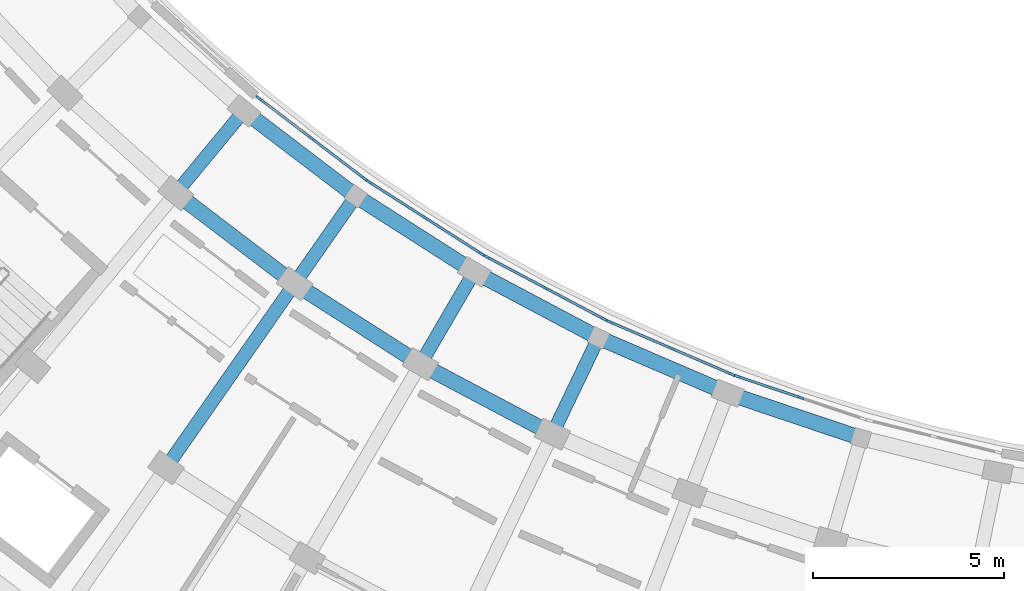
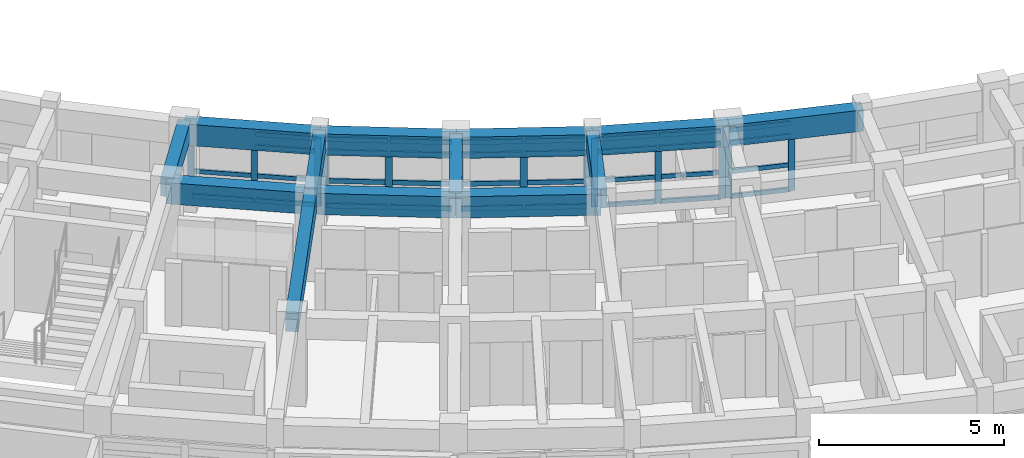
# One storey, part 13 of 54: 48 members, 13 beams, 5 elements without a shape of their own.
"""IFC4 building model written with IfcOpenShell, lengths in metres."""

from ifc_helpers import new_model, si_unit, direction, frame, origin, origin_2d, place, context, subcontext, project, spatial, rectangle, extrude, material, material_profile, profile_set, type_object, element, aggregate, save


model = new_model("IFC4")

# Units and contexts
model_context = context("Model", 3, precision=1e-05, world=origin(), true_north=direction((0.0, 1.0)))
body_context = subcontext(model_context, "Body", "Model", "MODEL_VIEW")
ifc_project = project(units=[si_unit("LENGTHUNIT", "METRE"), si_unit("AREAUNIT", "SQUARE_METRE"), si_unit("VOLUMEUNIT", "CUBIC_METRE"), si_unit("PLANEANGLEUNIT", "RADIAN"), si_unit("MASSUNIT", "GRAM", prefix="KILO")], contexts=[model_context])

# Site, building, storey
site_placement = place(None, origin())
site = spatial("IfcSite", under=ifc_project, at=site_placement, CompositionType="ELEMENT")
building_placement = place(site_placement, origin())
building = spatial("IfcBuilding", under=site, at=building_placement, Name="Zimvara Arc Housing Community", CompositionType="ELEMENT")
storey_placement = place(building_placement, frame((0.0, 0.0, 20.5)))
storey = spatial("IfcBuildingStorey", under=building, at=storey_placement, Name="L06", CompositionType="ELEMENT", Elevation=20.5)

# Beams
ifc_material_1 = material(Name="Concrete C40/50", Category="concrete")
ifc_material_profile_1 = material_profile(ifc_material_1, rectangle(XDim=0.35009765625, YDim=0.60009765625, at=origin_2d()), Name="RC 350x600")
ifc_profile_set_1 = profile_set([ifc_material_profile_1], Name="Concrete C40/50")
beam_type_1 = type_object("IfcBeamType", Name="BM-RC-350x600", PredefinedType="BEAM", material=ifc_profile_set_1)
beam_1_placement = place(storey_placement, frame((97.195068359375, 75.114501953125, 2.56005859375), z_axis=(-0.637917412223, -0.770104781951, 0.0), x_axis=(0.770104781951, -0.637917412223, 0.0)))
element("IfcBeam", 1, at=beam_1_placement, inside=storey, type_object=beam_type_1, Name="bm:blkC:L06:rad:b2:r01", PredefinedType="BEAM", context=body_context, shape_type="SweptSolid", body=[
    extrude(rectangle(XDim=0.35009765625, YDim=0.60009765625, at=origin_2d()), origin(), (0.0, 0.0, 1.0), 2.800048828125),
])
beam_2_placement = place(storey_placement, frame((100.1259765625, 72.8818359375, 2.56005859375), z_axis=(-0.57297651105, -0.819571789281, 0.0), x_axis=(0.819571789281, -0.57297651105, 0.0)))
element("IfcBeam", 2, at=beam_2_placement, inside=storey, type_object=beam_type_1, Name="bm:blkC:L06:rad:b3:r01", PredefinedType="BEAM", context=body_context, shape_type="SweptSolid", body=[
    extrude(rectangle(XDim=0.35009765625, YDim=0.60009765625, at=origin_2d()), origin(), (0.0, 0.0, 1.0), 2.7998046875),
])
beam_3_placement = place(storey_placement, frame((98.521728515625, 70.587158203125, 2.56005859375), z_axis=(-0.57300805165, -0.81954973781, 0.0), x_axis=(0.81954973781, -0.57300805165, 0.0)))
element("IfcBeam", 3, at=beam_3_placement, inside=storey, type_object=beam_type_1, Name="bm:blkC:L06:rad:b3:r12", PredefinedType="BEAM", context=body_context, shape_type="SweptSolid", body=[
    extrude(rectangle(XDim=0.35009765625, YDim=0.60009765625, at=origin_2d()), origin(), (0.0, 0.0, 1.0), 5.880126953125),
])
beam_4_placement = place(storey_placement, frame((103.229248046875, 70.895751953125, 2.56005859375), z_axis=(-0.504201666262, -0.8635859423, 0.0), x_axis=(0.8635859423, -0.504201666262, 0.0)))
element("IfcBeam", 4, at=beam_4_placement, inside=storey, type_object=beam_type_1, Name="bm:blkC:L06:rad:b4:r01", PredefinedType="BEAM", context=body_context, shape_type="SweptSolid", body=[
    extrude(rectangle(XDim=0.35009765625, YDim=0.60009765625, at=origin_2d()), origin(), (0.0, 0.0, 1.0), 2.80029296875),
])
beam_5_placement = place(storey_placement, frame((106.484375, 69.16943359375, 2.56005859375), z_axis=(-0.432118703138, -0.901816736593, 0.0), x_axis=(0.901816736593, -0.432118703138, 0.0)))
element("IfcBeam", 5, at=beam_5_placement, inside=storey, type_object=beam_type_1, Name="bm:blkC:L06:rad:b5:r01", PredefinedType="BEAM", context=body_context, shape_type="SweptSolid", body=[
    extrude(rectangle(XDim=0.35009765625, YDim=0.60009765625, at=origin_2d()), origin(), (0.0, 0.0, 1.0), 2.800048828125),
])
ifc_material_2 = material(Name="Concrete C40/50", Category="concrete")
ifc_material_profile_2 = material_profile(ifc_material_2, rectangle(XDim=0.39990234375, YDim=0.699951171875, at=origin_2d()), Name="RC 400x700")
ifc_profile_set_2 = profile_set([ifc_material_profile_2], Name="Concrete C40/50")
beam_type_2 = type_object("IfcBeamType", Name="BM-RC-400x700", PredefinedType="BEAM", material=ifc_profile_set_2)
for number, where, z_axis, x_axis, name in (
    (6, (97.195068359375, 75.114501953125, 2.510009765625), (0.795484955371, -0.605973337515, 0.0), (0.605973337515, 0.795484955371, 0.0), "bm:blkC:L06:chord:r0:b2"),
    (7, (100.1259765625, 72.8818359375, 2.510009765625), (0.842272604079, -0.539051816079, 0.0), (0.539051816079, 0.842272604079, 0.0), "bm:blkC:L06:chord:r0:b3"),
):
    element("IfcBeam", number, at=place(storey_placement, frame(where, z_axis=z_axis, x_axis=x_axis)), inside=storey, type_object=beam_type_2, Name=name, PredefinedType="BEAM", context=body_context, shape_type="SweptSolid", body=[
        extrude(rectangle(XDim=0.39990234375, YDim=0.699951171875, at=origin_2d()), origin(), (0.0, 0.0, 1.0), 3.684326171875),
    ])
for number, where, z_axis, x_axis, name in (
    (8, (103.229248046875, 70.895751953125, 2.510009765625), (0.883449220086, -0.468526920815, 0.0), (0.468526920815, 0.883449220086, 0.0), "bm:blkC:L06:chord:r0:b4"),
    (9, (106.484375, 69.16943359375, 2.510009765625), (0.918716071386, -0.394918700718, 0.0), (0.394918700718, 0.918716071386, 0.0), "bm:blkC:L06:chord:r0:b5"),
):
    element("IfcBeam", number, at=place(storey_placement, frame(where, z_axis=z_axis, x_axis=x_axis)), inside=storey, type_object=beam_type_2, Name=name, PredefinedType="BEAM", context=body_context, shape_type="SweptSolid", body=[
        extrude(rectangle(XDim=0.39990234375, YDim=0.699951171875, at=origin_2d()), origin(), (0.0, 0.0, 1.0), 3.6845703125),
    ])
beam_6_placement = place(storey_placement, frame((109.869384765625, 67.71435546875, 2.510009765625), z_axis=(0.947865078275, -0.31867192124, 0.0), x_axis=(0.31867192124, 0.947865078275, 0.0)))
element("IfcBeam", 10, at=beam_6_placement, inside=storey, type_object=beam_type_2, Name="bm:blkC:L06:chord:r0:b6", PredefinedType="BEAM", context=body_context, shape_type="SweptSolid", body=[
    extrude(rectangle(XDim=0.39990234375, YDim=0.699951171875, at=origin_2d()), origin(), (0.0, 0.0, 1.0), 3.684326171875),
])
for number, where, z_axis, x_axis, name in (
    (11, (95.408935546875, 72.958251953125, 2.510009765625), (0.795500462697, -0.605952979899, 0.0), (0.605952979899, 0.795500462697, 0.0), "bm:blkC:L06:chord:r1:b2"),
    (12, (98.521728515625, 70.587158203125, 2.510009765625), (0.842224940184, -0.53912628403, 0.0), (0.53912628403, 0.842224940184, 0.0), "bm:blkC:L06:chord:r1:b3"),
    (13, (101.8173828125, 68.4775390625, 2.510009765625), (0.883464449706, -0.468498202884, 0.0), (0.468498202884, 0.883464449706, 0.0), "bm:blkC:L06:chord:r1:b4"),
):
    element("IfcBeam", number, at=place(storey_placement, frame(where, z_axis=z_axis, x_axis=x_axis)), inside=storey, type_object=beam_type_2, Name=name, PredefinedType="BEAM", context=body_context, shape_type="SweptSolid", body=[
        extrude(rectangle(XDim=0.39990234375, YDim=0.699951171875, at=origin_2d()), origin(), (0.0, 0.0, 1.0), 3.9130859375),
    ])

# Curtain wall, members
ifc_material_3 = material(Name="Anodised Aluminium AW-6063", Category="aluminium")
curtain_wall_type_1 = type_object("IfcCurtainWallType", Name="CW-SYS-08", PredefinedType="USERDEFINED", material=ifc_material_3)
curtain_wall_1_placement = place(storey_placement, origin())
curtain_wall_1 = element("IfcCurtainWall", 14, at=curtain_wall_1_placement, inside=storey, type_object=curtain_wall_type_1, Name="cw:blkC:L06:in:b2", ObjectType="CURTAIN WALL", PredefinedType="USERDEFINED")
ifc_material_4 = material(Name="Anodised Aluminium AW-6063", Category="aluminium")
ifc_material_profile_3 = material_profile(ifc_material_4, rectangle(XDim=0.06494140625, YDim=0.179931640625, at=origin_2d()), Name="ALU 65x180")
ifc_profile_set_3 = profile_set([ifc_material_profile_3], Name="Anodised Aluminium AW-6063")
member_type_1 = type_object("IfcMemberType", Name="CWM-65x150", PredefinedType="MULLION", material=ifc_profile_set_3)
member_1_placement = place(storey_placement, frame((97.587646484375, 75.443603515625, 0.0), z_axis=(0.0, 0.0, 1.0), x_axis=(0.605988318533, 0.795473543119, 0.0)))
member_1 = element("IfcMember", 15, at=member_1_placement, type_object=member_type_1, Name="CW08 mullion 1", PredefinedType="MULLION", context=body_context, shape_type="SweptSolid", body=[
    extrude(rectangle(XDim=0.06494140625, YDim=0.179931640625, at=origin_2d()), origin(), (0.0, 0.0, 1.0), 2.25),
])
member_2_placement = place(storey_placement, frame((98.96337890625, 74.3955078125, 0.0), z_axis=(0.0, 0.0, 1.0), x_axis=(0.605988318533, 0.795473543119, 0.0)))
member_2 = element("IfcMember", 16, at=member_2_placement, type_object=member_type_1, Name="CW08 mullion 2", PredefinedType="MULLION", context=body_context, shape_type="SweptSolid", body=[
    extrude(rectangle(XDim=0.06494140625, YDim=0.179931640625, at=origin_2d()), origin(), (0.0, 0.0, 1.0), 2.25),
])
member_3_placement = place(storey_placement, frame((100.3388671875, 73.34765625, 0.0), z_axis=(0.0, 0.0, 1.0), x_axis=(0.605988318533, 0.795473543119, 0.0)))
member_3 = element("IfcMember", 17, at=member_3_placement, type_object=member_type_1, Name="CW08 mullion 3", PredefinedType="MULLION", context=body_context, shape_type="SweptSolid", body=[
    extrude(rectangle(XDim=0.06494140625, YDim=0.179931640625, at=origin_2d()), origin(), (0.0, 0.0, 1.0), 2.25),
])

ifc_material_5 = material(Name="Anodised Aluminium AW-6063", Category="aluminium")
curtain_wall_type_2 = type_object("IfcCurtainWallType", Name="CW-SYS-04", PredefinedType="USERDEFINED", material=ifc_material_5)
curtain_wall_2_placement = place(storey_placement, origin())
curtain_wall_2 = element("IfcCurtainWall", 18, at=curtain_wall_2_placement, inside=storey, type_object=curtain_wall_type_2, Name="cw:blkC:L06:in:b5", ObjectType="CURTAIN WALL", PredefinedType="USERDEFINED")
member_4_placement = place(storey_placement, frame((106.785400390625, 69.583740234375, 0.0), z_axis=(0.0, 0.0, 1.0), x_axis=(0.394904493375, 0.918722178415, 0.0)))
member_4 = element("IfcMember", 19, at=member_4_placement, type_object=member_type_1, Name="CW04 mullion 1", PredefinedType="MULLION", context=body_context, shape_type="SweptSolid", body=[
    extrude(rectangle(XDim=0.06494140625, YDim=0.179931640625, at=origin_2d()), origin(), (0.0, 0.0, 1.0), 2.25),
])
member_5_placement = place(storey_placement, frame((108.3740234375, 68.90087890625, 0.0), z_axis=(0.0, 0.0, 1.0), x_axis=(0.394904493375, 0.918722178415, 0.0)))
member_5 = element("IfcMember", 20, at=member_5_placement, type_object=member_type_1, Name="CW04 mullion 2", PredefinedType="MULLION", context=body_context, shape_type="SweptSolid", body=[
    extrude(rectangle(XDim=0.06494140625, YDim=0.179931640625, at=origin_2d()), origin(), (0.0, 0.0, 1.0), 2.25),
])
member_6_placement = place(storey_placement, frame((109.962890625, 68.2177734375, 0.0), z_axis=(0.0, 0.0, 1.0), x_axis=(0.394904493375, 0.918722178415, 0.0)))
member_6 = element("IfcMember", 21, at=member_6_placement, type_object=member_type_1, Name="CW04 mullion 3", PredefinedType="MULLION", context=body_context, shape_type="SweptSolid", body=[
    extrude(rectangle(XDim=0.06494140625, YDim=0.179931640625, at=origin_2d()), origin(), (0.0, 0.0, 1.0), 2.25),
])

ifc_material_6 = material(Name="Anodised Aluminium AW-6063", Category="aluminium")
curtain_wall_type_3 = type_object("IfcCurtainWallType", Name="CW-SYS-06", PredefinedType="USERDEFINED", material=ifc_material_6)
curtain_wall_3_placement = place(storey_placement, origin())
curtain_wall_3 = element("IfcCurtainWall", 22, at=curtain_wall_3_placement, inside=storey, type_object=curtain_wall_type_3, Name="cw:blkC:L06:in:b6", ObjectType="CURTAIN WALL", PredefinedType="USERDEFINED")
member_7_placement = place(storey_placement, frame((110.135498046875, 68.15185546875, 0.0), z_axis=(0.0, 0.0, 1.0), x_axis=(0.318630249383, 0.94787908732, 0.0)))
member_7 = element("IfcMember", 23, at=member_7_placement, type_object=member_type_1, Name="CW06 mullion 1", PredefinedType="MULLION", context=body_context, shape_type="SweptSolid", body=[
    extrude(rectangle(XDim=0.06494140625, YDim=0.179931640625, at=origin_2d()), origin(), (0.0, 0.0, 1.0), 2.25),
])
member_8_placement = place(storey_placement, frame((111.774658203125, 67.600830078125, 0.0), z_axis=(0.0, 0.0, 1.0), x_axis=(0.318630249383, 0.94787908732, 0.0)))
member_8 = element("IfcMember", 24, at=member_8_placement, type_object=member_type_1, Name="CW06 mullion 2", PredefinedType="MULLION", context=body_context, shape_type="SweptSolid", body=[
    extrude(rectangle(XDim=0.06494140625, YDim=0.179931640625, at=origin_2d()), origin(), (0.0, 0.0, 1.0), 2.25),
])

ifc_material_7 = material(Name="Anodised Aluminium AW-6063", Category="aluminium")
curtain_wall_type_4 = type_object("IfcCurtainWallType", Name="CW-SYS-01", PredefinedType="USERDEFINED", material=ifc_material_7)
curtain_wall_4_placement = place(storey_placement, origin())
curtain_wall_4 = element("IfcCurtainWall", 25, at=curtain_wall_4_placement, inside=storey, type_object=curtain_wall_type_4, Name="cw:blkC:L06:in:b3", ObjectType="CURTAIN WALL", PredefinedType="USERDEFINED")
ifc_material_8 = material(Name="Anodised Aluminium AW-6063", Category="aluminium")
ifc_material_profile_4 = material_profile(ifc_material_8, rectangle(XDim=0.06494140625, YDim=0.195068359375, at=origin_2d()), Name="ALU 65x195")
ifc_profile_set_4 = profile_set([ifc_material_profile_4], Name="Anodised Aluminium AW-6063")
member_type_2 = type_object("IfcMemberType", Name="CWM-65x180", PredefinedType="MULLION", material=ifc_profile_set_4)
member_9_placement = place(storey_placement, frame((100.490478515625, 73.24169921875, 0.0), z_axis=(0.0, 0.0, 1.0), x_axis=(0.539064085203, 0.842264751752, 0.0)))
member_9 = element("IfcMember", 26, at=member_9_placement, type_object=member_type_2, Name="CW01 mullion 1", PredefinedType="MULLION", context=body_context, shape_type="SweptSolid", body=[
    extrude(rectangle(XDim=0.06494140625, YDim=0.195068359375, at=origin_2d()), origin(), (0.0, 0.0, 1.0), 2.25),
])
member_10_placement = place(storey_placement, frame((101.947021484375, 72.3095703125, 0.0), z_axis=(0.0, 0.0, 1.0), x_axis=(0.539064085203, 0.842264751752, 0.0)))
member_10 = element("IfcMember", 27, at=member_10_placement, type_object=member_type_2, Name="CW01 mullion 2", PredefinedType="MULLION", context=body_context, shape_type="SweptSolid", body=[
    extrude(rectangle(XDim=0.06494140625, YDim=0.195068359375, at=origin_2d()), origin(), (0.0, 0.0, 1.0), 2.25),
])
member_11_placement = place(storey_placement, frame((103.403564453125, 71.377197265625, 0.0), z_axis=(0.0, 0.0, 1.0), x_axis=(0.539064085203, 0.842264751752, 0.0)))
member_11 = element("IfcMember", 28, at=member_11_placement, type_object=member_type_2, Name="CW01 mullion 3", PredefinedType="MULLION", context=body_context, shape_type="SweptSolid", body=[
    extrude(rectangle(XDim=0.06494140625, YDim=0.195068359375, at=origin_2d()), origin(), (0.0, 0.0, 1.0), 2.25),
])

ifc_material_9 = material(Name="Anodised Aluminium AW-6063", Category="aluminium")
curtain_wall_type_5 = type_object("IfcCurtainWallType", Name="CW-SYS-03", PredefinedType="USERDEFINED", material=ifc_material_9)
curtain_wall_5_placement = place(storey_placement, origin())
curtain_wall_5 = element("IfcCurtainWall", 29, at=curtain_wall_5_placement, inside=storey, type_object=curtain_wall_type_5, Name="cw:blkC:L06:in:b4", ObjectType="CURTAIN WALL", PredefinedType="USERDEFINED")
member_12_placement = place(storey_placement, frame((103.563232421875, 71.2841796875, 0.0), z_axis=(0.0, 0.0, 1.0), x_axis=(0.468544648573, 0.88343981815, 0.0)))
member_12 = element("IfcMember", 30, at=member_12_placement, type_object=member_type_2, Name="CW03 mullion 1", PredefinedType="MULLION", context=body_context, shape_type="SweptSolid", body=[
    extrude(rectangle(XDim=0.06494140625, YDim=0.195068359375, at=origin_2d()), origin(), (0.0, 0.0, 1.0), 2.25),
])
member_13_placement = place(storey_placement, frame((105.0908203125, 70.473876953125, 0.0), z_axis=(0.0, 0.0, 1.0), x_axis=(0.468544648573, 0.88343981815, 0.0)))
member_13 = element("IfcMember", 31, at=member_13_placement, type_object=member_type_2, Name="CW03 mullion 2", PredefinedType="MULLION", context=body_context, shape_type="SweptSolid", body=[
    extrude(rectangle(XDim=0.06494140625, YDim=0.195068359375, at=origin_2d()), origin(), (0.0, 0.0, 1.0), 2.25),
])
member_14_placement = place(storey_placement, frame((106.61865234375, 69.66357421875, 0.0), z_axis=(0.0, 0.0, 1.0), x_axis=(0.468544648573, 0.88343981815, 0.0)))
member_14 = element("IfcMember", 32, at=member_14_placement, type_object=member_type_2, Name="CW03 mullion 3", PredefinedType="MULLION", context=body_context, shape_type="SweptSolid", body=[
    extrude(rectangle(XDim=0.06494140625, YDim=0.195068359375, at=origin_2d()), origin(), (0.0, 0.0, 1.0), 2.25),
])

# Member
ifc_material_10 = material(Name="Anodised Aluminium AW-6063", Category="aluminium")
ifc_material_profile_5 = material_profile(ifc_material_10, rectangle(XDim=0.06494140625, YDim=0.139892578125, at=origin_2d()), Name="ALU 65x140")
ifc_profile_set_5 = profile_set([ifc_material_profile_5], Name="Anodised Aluminium AW-6063")
member_type_3 = type_object("IfcMemberType", Name="CWT-65x120", PredefinedType="USERDEFINED", material=ifc_profile_set_5)
member_15_placement = place(storey_placement, frame((97.613525390625, 75.423828125, 0.032470703125), z_axis=(0.795488960577, -0.605968079687, 0.0), x_axis=(0.605968079687, 0.795488960577, 0.0)))
member_15 = element("IfcMember", 33, at=member_15_placement, type_object=member_type_3, Name="CW08 transom 1.1", ObjectType="TRANSOM", PredefinedType="USERDEFINED", context=body_context, shape_type="SweptSolid", body=[
    extrude(rectangle(XDim=0.06494140625, YDim=0.139892578125, at=origin_2d()), origin(), (0.0, 0.0, 1.0), 1.664306640625),
])

member_16_placement = place(storey_placement, frame((97.613525390625, 75.423828125, 0.85009765625), z_axis=(0.795488960577, -0.605968079687, 0.0), x_axis=(0.605968079687, 0.795488960577, 0.0)))
member_16 = element("IfcMember", 34, at=member_16_placement, type_object=member_type_3, Name="CW08 transom 1.2", ObjectType="TRANSOM", PredefinedType="USERDEFINED", context=body_context, shape_type="SweptSolid", body=[
    extrude(rectangle(XDim=0.06494140625, YDim=0.139892578125, at=origin_2d()), origin(), (0.0, 0.0, 1.0), 1.664306640625),
])

member_17_placement = place(storey_placement, frame((98.9892578125, 74.3759765625, 0.032470703125), z_axis=(0.795435087713, -0.606038795157, 0.0), x_axis=(0.606038795157, 0.795435087713, 0.0)))
member_17 = element("IfcMember", 35, at=member_17_placement, type_object=member_type_3, Name="CW08 transom 2.1", ObjectType="TRANSOM", PredefinedType="USERDEFINED", context=body_context, shape_type="SweptSolid", body=[
    extrude(rectangle(XDim=0.06494140625, YDim=0.139892578125, at=origin_2d()), origin(), (0.0, 0.0, 1.0), 1.6640625),
])

member_18_placement = place(storey_placement, frame((98.9892578125, 74.3759765625, 0.85009765625), z_axis=(0.795435087713, -0.606038795157, 0.0), x_axis=(0.606038795157, 0.795435087713, 0.0)))
member_18 = element("IfcMember", 36, at=member_18_placement, type_object=member_type_3, Name="CW08 transom 2.2", ObjectType="TRANSOM", PredefinedType="USERDEFINED", context=body_context, shape_type="SweptSolid", body=[
    extrude(rectangle(XDim=0.06494140625, YDim=0.139892578125, at=origin_2d()), origin(), (0.0, 0.0, 1.0), 1.6640625),
])

member_19_placement = place(storey_placement, frame((98.9892578125, 74.3759765625, 1.800048828125), z_axis=(0.795435087713, -0.606038795157, 0.0), x_axis=(0.606038795157, 0.795435087713, 0.0)))
member_19 = element("IfcMember", 37, at=member_19_placement, type_object=member_type_3, Name="CW08 transom 2.3", ObjectType="TRANSOM", PredefinedType="USERDEFINED", context=body_context, shape_type="SweptSolid", body=[
    extrude(rectangle(XDim=0.06494140625, YDim=0.139892578125, at=origin_2d()), origin(), (0.0, 0.0, 1.0), 1.6640625),
])

member_20_placement = place(storey_placement, frame((98.9892578125, 74.3759765625, 2.217529296875), z_axis=(0.795435087713, -0.606038795157, 0.0), x_axis=(0.606038795157, 0.795435087713, 0.0)))
member_20 = element("IfcMember", 38, at=member_20_placement, type_object=member_type_3, Name="CW08 transom 2.4", ObjectType="TRANSOM", PredefinedType="USERDEFINED", context=body_context, shape_type="SweptSolid", body=[
    extrude(rectangle(XDim=0.06494140625, YDim=0.139892578125, at=origin_2d()), origin(), (0.0, 0.0, 1.0), 1.6640625),
])

aggregate(curtain_wall_1, [member_1, member_2, member_3, member_15, member_16, member_17, member_18, member_19, member_20])

member_21_placement = place(storey_placement, frame((106.815185546875, 69.57080078125, 0.032470703125), z_axis=(0.918727202972, -0.394892803832, 0.0), x_axis=(0.394892803832, 0.918727202972, 0.0)))
member_21 = element("IfcMember", 39, at=member_21_placement, type_object=member_type_3, Name="CW04 transom 1.1", ObjectType="TRANSOM", PredefinedType="USERDEFINED", context=body_context, shape_type="SweptSolid", body=[
    extrude(rectangle(XDim=0.06494140625, YDim=0.139892578125, at=origin_2d()), origin(), (0.0, 0.0, 1.0), 1.664306640625),
])

member_22_placement = place(storey_placement, frame((106.815185546875, 69.57080078125, 0.85009765625), z_axis=(0.918727202972, -0.394892803832, 0.0), x_axis=(0.394892803832, 0.918727202972, 0.0)))
member_22 = element("IfcMember", 40, at=member_22_placement, type_object=member_type_3, Name="CW04 transom 1.2", ObjectType="TRANSOM", PredefinedType="USERDEFINED", context=body_context, shape_type="SweptSolid", body=[
    extrude(rectangle(XDim=0.06494140625, YDim=0.139892578125, at=origin_2d()), origin(), (0.0, 0.0, 1.0), 1.664306640625),
])

member_23_placement = place(storey_placement, frame((106.815185546875, 69.57080078125, 1.800048828125), z_axis=(0.918727202972, -0.394892803832, 0.0), x_axis=(0.394892803832, 0.918727202972, 0.0)))
member_23 = element("IfcMember", 41, at=member_23_placement, type_object=member_type_3, Name="CW04 transom 1.3", ObjectType="TRANSOM", PredefinedType="USERDEFINED", context=body_context, shape_type="SweptSolid", body=[
    extrude(rectangle(XDim=0.06494140625, YDim=0.139892578125, at=origin_2d()), origin(), (0.0, 0.0, 1.0), 1.664306640625),
])

member_24_placement = place(storey_placement, frame((106.815185546875, 69.57080078125, 2.217529296875), z_axis=(0.918727202972, -0.394892803832, 0.0), x_axis=(0.394892803832, 0.918727202972, 0.0)))
member_24 = element("IfcMember", 42, at=member_24_placement, type_object=member_type_3, Name="CW04 transom 1.4", ObjectType="TRANSOM", PredefinedType="USERDEFINED", context=body_context, shape_type="SweptSolid", body=[
    extrude(rectangle(XDim=0.06494140625, YDim=0.139892578125, at=origin_2d()), origin(), (0.0, 0.0, 1.0), 1.664306640625),
])

member_25_placement = place(storey_placement, frame((108.40380859375, 68.887939453125, 0.032470703125), z_axis=(0.918727202972, -0.394892803832, 0.0), x_axis=(0.394892803832, 0.918727202972, 0.0)))
member_25 = element("IfcMember", 43, at=member_25_placement, type_object=member_type_3, Name="CW04 transom 2.1", ObjectType="TRANSOM", PredefinedType="USERDEFINED", context=body_context, shape_type="SweptSolid", body=[
    extrude(rectangle(XDim=0.06494140625, YDim=0.139892578125, at=origin_2d()), origin(), (0.0, 0.0, 1.0), 1.664306640625),
])

member_26_placement = place(storey_placement, frame((108.40380859375, 68.887939453125, 0.85009765625), z_axis=(0.918727202972, -0.394892803832, 0.0), x_axis=(0.394892803832, 0.918727202972, 0.0)))
member_26 = element("IfcMember", 44, at=member_26_placement, type_object=member_type_3, Name="CW04 transom 2.2", ObjectType="TRANSOM", PredefinedType="USERDEFINED", context=body_context, shape_type="SweptSolid", body=[
    extrude(rectangle(XDim=0.06494140625, YDim=0.139892578125, at=origin_2d()), origin(), (0.0, 0.0, 1.0), 1.664306640625),
])

member_27_placement = place(storey_placement, frame((108.40380859375, 68.887939453125, 1.800048828125), z_axis=(0.918727202972, -0.394892803832, 0.0), x_axis=(0.394892803832, 0.918727202972, 0.0)))
member_27 = element("IfcMember", 45, at=member_27_placement, type_object=member_type_3, Name="CW04 transom 2.3", ObjectType="TRANSOM", PredefinedType="USERDEFINED", context=body_context, shape_type="SweptSolid", body=[
    extrude(rectangle(XDim=0.06494140625, YDim=0.139892578125, at=origin_2d()), origin(), (0.0, 0.0, 1.0), 1.664306640625),
])

member_28_placement = place(storey_placement, frame((108.40380859375, 68.887939453125, 2.217529296875), z_axis=(0.918727202972, -0.394892803832, 0.0), x_axis=(0.394892803832, 0.918727202972, 0.0)))
member_28 = element("IfcMember", 46, at=member_28_placement, type_object=member_type_3, Name="CW04 transom 2.4", ObjectType="TRANSOM", PredefinedType="USERDEFINED", context=body_context, shape_type="SweptSolid", body=[
    extrude(rectangle(XDim=0.06494140625, YDim=0.139892578125, at=origin_2d()), origin(), (0.0, 0.0, 1.0), 1.664306640625),
])

aggregate(curtain_wall_2, [member_4, member_5, member_6, member_21, member_22, member_23, member_24, member_25, member_26, member_27, member_28])

member_29_placement = place(storey_placement, frame((110.166259765625, 68.1416015625, 0.032470703125), z_axis=(0.947888214723, -0.318603095385, 0.0), x_axis=(0.318603095385, 0.947888214723, 0.0)))
member_29 = element("IfcMember", 47, at=member_29_placement, type_object=member_type_3, Name="CW06 transom 1.1", ObjectType="TRANSOM", PredefinedType="USERDEFINED", context=body_context, shape_type="SweptSolid", body=[
    extrude(rectangle(XDim=0.06494140625, YDim=0.139892578125, at=origin_2d()), origin(), (0.0, 0.0, 1.0), 1.664306640625),
])

member_30_placement = place(storey_placement, frame((110.166259765625, 68.1416015625, 0.85009765625), z_axis=(0.947888214723, -0.318603095385, 0.0), x_axis=(0.318603095385, 0.947888214723, 0.0)))
member_30 = element("IfcMember", 48, at=member_30_placement, type_object=member_type_3, Name="CW06 transom 1.2", ObjectType="TRANSOM", PredefinedType="USERDEFINED", context=body_context, shape_type="SweptSolid", body=[
    extrude(rectangle(XDim=0.06494140625, YDim=0.139892578125, at=origin_2d()), origin(), (0.0, 0.0, 1.0), 1.664306640625),
])

member_31_placement = place(storey_placement, frame((110.166259765625, 68.1416015625, 1.800048828125), z_axis=(0.947888214723, -0.318603095385, 0.0), x_axis=(0.318603095385, 0.947888214723, 0.0)))
member_31 = element("IfcMember", 49, at=member_31_placement, type_object=member_type_3, Name="CW06 transom 1.3", ObjectType="TRANSOM", PredefinedType="USERDEFINED", context=body_context, shape_type="SweptSolid", body=[
    extrude(rectangle(XDim=0.06494140625, YDim=0.139892578125, at=origin_2d()), origin(), (0.0, 0.0, 1.0), 1.664306640625),
])

member_32_placement = place(storey_placement, frame((110.166259765625, 68.1416015625, 2.217529296875), z_axis=(0.947888214723, -0.318603095385, 0.0), x_axis=(0.318603095385, 0.947888214723, 0.0)))
member_32 = element("IfcMember", 50, at=member_32_placement, type_object=member_type_3, Name="CW06 transom 1.4", ObjectType="TRANSOM", PredefinedType="USERDEFINED", context=body_context, shape_type="SweptSolid", body=[
    extrude(rectangle(XDim=0.06494140625, YDim=0.139892578125, at=origin_2d()), origin(), (0.0, 0.0, 1.0), 1.664306640625),
])

aggregate(curtain_wall_3, [member_7, member_8, member_29, member_30, member_31, member_32])

ifc_material_11 = material(Name="Anodised Aluminium AW-6063", Category="aluminium")
ifc_material_profile_6 = material_profile(ifc_material_11, rectangle(XDim=0.06494140625, YDim=0.155029296875, at=origin_2d()), Name="ALU 65x155")
ifc_profile_set_6 = profile_set([ifc_material_profile_6], Name="Anodised Aluminium AW-6063")
member_type_4 = type_object("IfcMemberType", Name="CWT-65x140", PredefinedType="USERDEFINED", material=ifc_profile_set_6)
member_33_placement = place(storey_placement, frame((100.517822265625, 73.22412109375, 0.032470703125), z_axis=(0.842263408668, -0.539066183709, 0.0), x_axis=(0.539066183709, 0.842263408668, 0.0)))
member_33 = element("IfcMember", 51, at=member_33_placement, type_object=member_type_4, Name="CW01 transom 1.1", ObjectType="TRANSOM", PredefinedType="USERDEFINED", context=body_context, shape_type="SweptSolid", body=[
    extrude(rectangle(XDim=0.06494140625, YDim=0.155029296875, at=origin_2d()), origin(), (0.0, 0.0, 1.0), 1.664306640625),
])

member_34_placement = place(storey_placement, frame((100.517822265625, 73.22412109375, 0.85009765625), z_axis=(0.842263408668, -0.539066183709, 0.0), x_axis=(0.539066183709, 0.842263408668, 0.0)))
member_34 = element("IfcMember", 52, at=member_34_placement, type_object=member_type_4, Name="CW01 transom 1.2", ObjectType="TRANSOM", PredefinedType="USERDEFINED", context=body_context, shape_type="SweptSolid", body=[
    extrude(rectangle(XDim=0.06494140625, YDim=0.155029296875, at=origin_2d()), origin(), (0.0, 0.0, 1.0), 1.664306640625),
])

member_35_placement = place(storey_placement, frame((100.517822265625, 73.22412109375, 1.800048828125), z_axis=(0.842263408668, -0.539066183709, 0.0), x_axis=(0.539066183709, 0.842263408668, 0.0)))
member_35 = element("IfcMember", 53, at=member_35_placement, type_object=member_type_4, Name="CW01 transom 1.3", ObjectType="TRANSOM", PredefinedType="USERDEFINED", context=body_context, shape_type="SweptSolid", body=[
    extrude(rectangle(XDim=0.06494140625, YDim=0.155029296875, at=origin_2d()), origin(), (0.0, 0.0, 1.0), 1.664306640625),
])

member_36_placement = place(storey_placement, frame((100.517822265625, 73.22412109375, 2.217529296875), z_axis=(0.842263408668, -0.539066183709, 0.0), x_axis=(0.539066183709, 0.842263408668, 0.0)))
member_36 = element("IfcMember", 54, at=member_36_placement, type_object=member_type_4, Name="CW01 transom 1.4", ObjectType="TRANSOM", PredefinedType="USERDEFINED", context=body_context, shape_type="SweptSolid", body=[
    extrude(rectangle(XDim=0.06494140625, YDim=0.155029296875, at=origin_2d()), origin(), (0.0, 0.0, 1.0), 1.664306640625),
])

member_37_placement = place(storey_placement, frame((101.974365234375, 72.2919921875, 0.032470703125), z_axis=(0.842263408668, -0.539066183709, 0.0), x_axis=(0.539066183709, 0.842263408668, 0.0)))
member_37 = element("IfcMember", 55, at=member_37_placement, type_object=member_type_4, Name="CW01 transom 2.1", ObjectType="TRANSOM", PredefinedType="USERDEFINED", context=body_context, shape_type="SweptSolid", body=[
    extrude(rectangle(XDim=0.06494140625, YDim=0.155029296875, at=origin_2d()), origin(), (0.0, 0.0, 1.0), 1.664306640625),
])

member_38_placement = place(storey_placement, frame((101.974365234375, 72.2919921875, 0.85009765625), z_axis=(0.842263408668, -0.539066183709, 0.0), x_axis=(0.539066183709, 0.842263408668, 0.0)))
member_38 = element("IfcMember", 56, at=member_38_placement, type_object=member_type_4, Name="CW01 transom 2.2", ObjectType="TRANSOM", PredefinedType="USERDEFINED", context=body_context, shape_type="SweptSolid", body=[
    extrude(rectangle(XDim=0.06494140625, YDim=0.155029296875, at=origin_2d()), origin(), (0.0, 0.0, 1.0), 1.664306640625),
])

member_39_placement = place(storey_placement, frame((101.974365234375, 72.2919921875, 1.800048828125), z_axis=(0.842263408668, -0.539066183709, 0.0), x_axis=(0.539066183709, 0.842263408668, 0.0)))
member_39 = element("IfcMember", 57, at=member_39_placement, type_object=member_type_4, Name="CW01 transom 2.3", ObjectType="TRANSOM", PredefinedType="USERDEFINED", context=body_context, shape_type="SweptSolid", body=[
    extrude(rectangle(XDim=0.06494140625, YDim=0.155029296875, at=origin_2d()), origin(), (0.0, 0.0, 1.0), 1.664306640625),
])

member_40_placement = place(storey_placement, frame((101.974365234375, 72.2919921875, 2.217529296875), z_axis=(0.842263408668, -0.539066183709, 0.0), x_axis=(0.539066183709, 0.842263408668, 0.0)))
member_40 = element("IfcMember", 58, at=member_40_placement, type_object=member_type_4, Name="CW01 transom 2.4", ObjectType="TRANSOM", PredefinedType="USERDEFINED", context=body_context, shape_type="SweptSolid", body=[
    extrude(rectangle(XDim=0.06494140625, YDim=0.155029296875, at=origin_2d()), origin(), (0.0, 0.0, 1.0), 1.664306640625),
])

aggregate(curtain_wall_4, [member_9, member_10, member_11, member_33, member_34, member_35, member_36, member_37, member_38, member_39, member_40])

member_41_placement = place(storey_placement, frame((103.591796875, 71.268798828125, 0.032470703125), z_axis=(0.883463021947, -0.468500895252, 0.0), x_axis=(0.468500895252, 0.883463021947, 0.0)))
member_41 = element("IfcMember", 59, at=member_41_placement, type_object=member_type_4, Name="CW03 transom 1.1", ObjectType="TRANSOM", PredefinedType="USERDEFINED", context=body_context, shape_type="SweptSolid", body=[
    extrude(rectangle(XDim=0.06494140625, YDim=0.155029296875, at=origin_2d()), origin(), (0.0, 0.0, 1.0), 1.664306640625),
])

member_42_placement = place(storey_placement, frame((103.591796875, 71.268798828125, 0.85009765625), z_axis=(0.883463021947, -0.468500895252, 0.0), x_axis=(0.468500895252, 0.883463021947, 0.0)))
member_42 = element("IfcMember", 60, at=member_42_placement, type_object=member_type_4, Name="CW03 transom 1.2", ObjectType="TRANSOM", PredefinedType="USERDEFINED", context=body_context, shape_type="SweptSolid", body=[
    extrude(rectangle(XDim=0.06494140625, YDim=0.155029296875, at=origin_2d()), origin(), (0.0, 0.0, 1.0), 1.664306640625),
])

member_43_placement = place(storey_placement, frame((103.591796875, 71.268798828125, 1.800048828125), z_axis=(0.883463021947, -0.468500895252, 0.0), x_axis=(0.468500895252, 0.883463021947, 0.0)))
member_43 = element("IfcMember", 61, at=member_43_placement, type_object=member_type_4, Name="CW03 transom 1.3", ObjectType="TRANSOM", PredefinedType="USERDEFINED", context=body_context, shape_type="SweptSolid", body=[
    extrude(rectangle(XDim=0.06494140625, YDim=0.155029296875, at=origin_2d()), origin(), (0.0, 0.0, 1.0), 1.664306640625),
])

member_44_placement = place(storey_placement, frame((103.591796875, 71.268798828125, 2.217529296875), z_axis=(0.883463021947, -0.468500895252, 0.0), x_axis=(0.468500895252, 0.883463021947, 0.0)))
member_44 = element("IfcMember", 62, at=member_44_placement, type_object=member_type_4, Name="CW03 transom 1.4", ObjectType="TRANSOM", PredefinedType="USERDEFINED", context=body_context, shape_type="SweptSolid", body=[
    extrude(rectangle(XDim=0.06494140625, YDim=0.155029296875, at=origin_2d()), origin(), (0.0, 0.0, 1.0), 1.664306640625),
])

member_45_placement = place(storey_placement, frame((105.11962890625, 70.45849609375, 0.032470703125), z_axis=(0.8834308201, -0.468561613982, 0.0), x_axis=(0.468561613982, 0.8834308201, 0.0)))
member_45 = element("IfcMember", 63, at=member_45_placement, type_object=member_type_4, Name="CW03 transom 2.1", ObjectType="TRANSOM", PredefinedType="USERDEFINED", context=body_context, shape_type="SweptSolid", body=[
    extrude(rectangle(XDim=0.06494140625, YDim=0.155029296875, at=origin_2d()), origin(), (0.0, 0.0, 1.0), 1.664306640625),
])

member_46_placement = place(storey_placement, frame((105.11962890625, 70.45849609375, 0.85009765625), z_axis=(0.8834308201, -0.468561613982, 0.0), x_axis=(0.468561613982, 0.8834308201, 0.0)))
member_46 = element("IfcMember", 64, at=member_46_placement, type_object=member_type_4, Name="CW03 transom 2.2", ObjectType="TRANSOM", PredefinedType="USERDEFINED", context=body_context, shape_type="SweptSolid", body=[
    extrude(rectangle(XDim=0.06494140625, YDim=0.155029296875, at=origin_2d()), origin(), (0.0, 0.0, 1.0), 1.664306640625),
])

member_47_placement = place(storey_placement, frame((105.11962890625, 70.45849609375, 1.800048828125), z_axis=(0.8834308201, -0.468561613982, 0.0), x_axis=(0.468561613982, 0.8834308201, 0.0)))
member_47 = element("IfcMember", 65, at=member_47_placement, type_object=member_type_4, Name="CW03 transom 2.3", ObjectType="TRANSOM", PredefinedType="USERDEFINED", context=body_context, shape_type="SweptSolid", body=[
    extrude(rectangle(XDim=0.06494140625, YDim=0.155029296875, at=origin_2d()), origin(), (0.0, 0.0, 1.0), 1.664306640625),
])

member_48_placement = place(storey_placement, frame((105.11962890625, 70.45849609375, 2.217529296875), z_axis=(0.8834308201, -0.468561613982, 0.0), x_axis=(0.468561613982, 0.8834308201, 0.0)))
member_48 = element("IfcMember", 66, at=member_48_placement, type_object=member_type_4, Name="CW03 transom 2.4", ObjectType="TRANSOM", PredefinedType="USERDEFINED", context=body_context, shape_type="SweptSolid", body=[
    extrude(rectangle(XDim=0.06494140625, YDim=0.155029296875, at=origin_2d()), origin(), (0.0, 0.0, 1.0), 1.664306640625),
])

aggregate(curtain_wall_5, [member_12, member_13, member_14, member_41, member_42, member_43, member_44, member_45, member_46, member_47, member_48])

save(model, "model.ifc")
